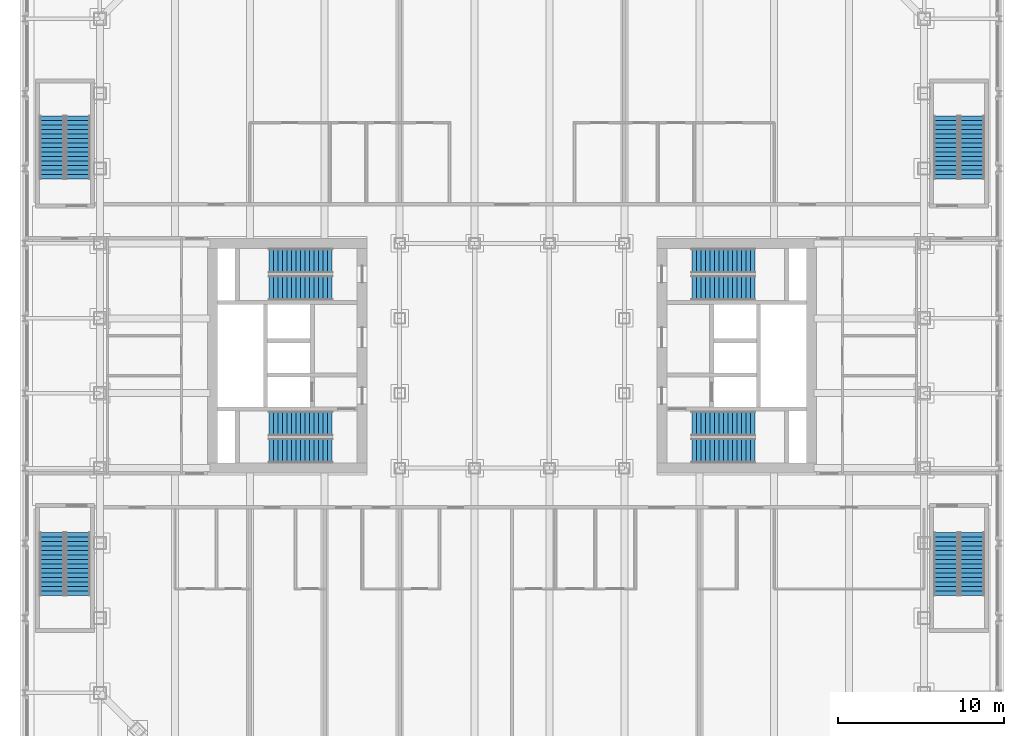
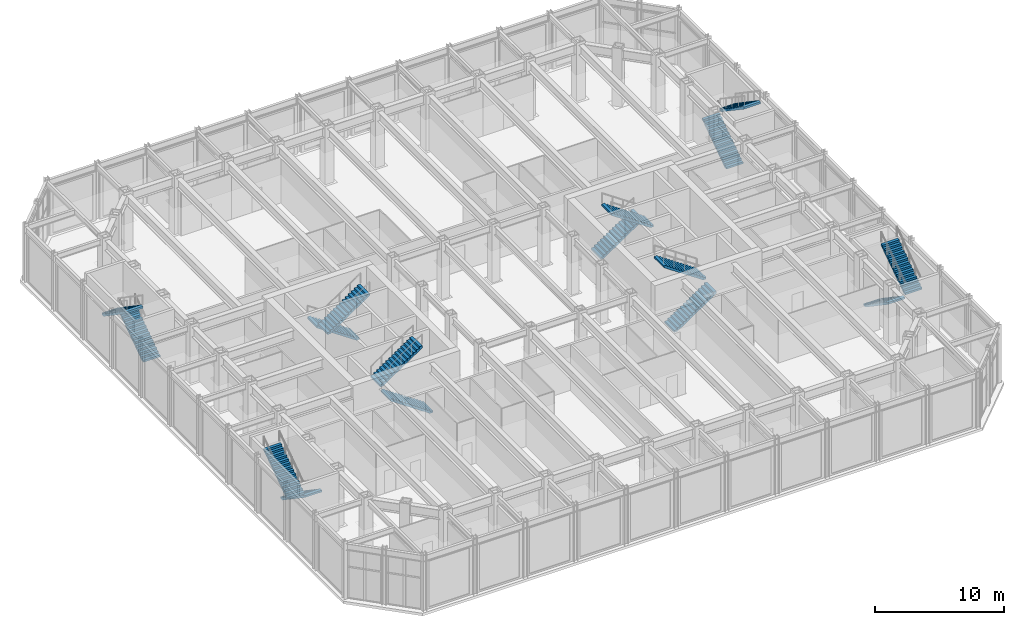
# One storey, part 16 of 19: 16 stair flights, 8 elements without a shape of their own.
"""IFC4 building model written with IfcOpenShell, lengths in metres."""

from ifc_helpers import new_model, si_unit, direction, frame, origin, place, context, subcontext, project, spatial, polyline, outline, extrude, material, type_object, element, aggregate, save


model = new_model("IFC4")

# Units and contexts
model_context = context("Model", 3, precision=1e-05, world=origin(), true_north=direction((0.0, 1.0)))
body_context = subcontext(model_context, "Body", "Model", "MODEL_VIEW")
ifc_project = project(units=[si_unit("LENGTHUNIT", "METRE"), si_unit("AREAUNIT", "SQUARE_METRE"), si_unit("VOLUMEUNIT", "CUBIC_METRE"), si_unit("PLANEANGLEUNIT", "RADIAN"), si_unit("MASSUNIT", "GRAM", prefix="KILO")], contexts=[model_context])

# Site, building, storey
site_placement = place(None, origin())
site = spatial("IfcSite", under=ifc_project, at=site_placement, CompositionType="ELEMENT")
building_placement = place(site_placement, origin())
building = spatial("IfcBuilding", under=site, at=building_placement, Name="Msasa Ring Tower", CompositionType="ELEMENT")
storey_placement = place(building_placement, frame((0.0, 0.0, 16.0)))
storey = spatial("IfcBuildingStorey", under=building, at=storey_placement, Name="L03", CompositionType="ELEMENT", Elevation=16.0)

# Stair, stair flights
ifc_material_1 = material(Name="Concrete C40/50", Category="concrete")
stair_type_1 = type_object("IfcStairType", Name="STC CORE STAIR 30 RISERS 183.3", PredefinedType="HALF_TURN_STAIR", material=ifc_material_1)
stair_1_placement = place(storey_placement, origin())
stair_1 = element("IfcStair", 1, at=stair_1_placement, inside=storey, type_object=stair_type_1, Name="Core stair SEA L03", PredefinedType="HALF_TURN_STAIR")
ifc_material_2 = material(Name="Concrete C40/50", Category="concrete")
stair_flight_type_1 = type_object("IfcStairFlightType", Name="ST16 CORE STAIR FLIGHT 1500 15 RISERS 183.3", PredefinedType="STRAIGHT", material=ifc_material_2)
stair_flight_1_placement = place(storey_placement, frame((10.800048828125, -5.699951171875, 0.0), z_axis=(0.0, 0.0, 1.0), x_axis=(1.0, 0.0, 0.0)))
stair_flight_1 = element("IfcStairFlight", 2, at=stair_flight_1_placement, type_object=stair_flight_type_1, Name="SEA flight 1", NumberOfRisers=15, NumberOfTreads=14, PredefinedType="STRAIGHT", RiserHeight=0.183333333, TreadLength=0.27, context=body_context, shape_type="SweptSolid", body=[
    extrude(outline(polyline([(0.0, 0.0), (0.0, 0.183349609375), (0.27001953125, 0.183349609375), (0.27001953125, 0.36669921875), (0.5400390625, 0.36669921875), (0.5400390625, 0.550048828125), (0.81005859375, 0.550048828125), (0.81005859375, 0.7333984375), (1.080078125, 0.7333984375), (1.080078125, 0.916748046875), (1.35009765625, 0.916748046875), (1.35009765625, 1.10009765625), (1.6201171875, 1.10009765625), (1.6201171875, 1.283447265625), (1.889892578125, 1.283447265625), (1.889892578125, 1.466552734375), (2.159912109375, 1.466552734375), (2.159912109375, 1.64990234375), (2.429931640625, 1.64990234375), (2.429931640625, 1.833251953125), (2.699951171875, 1.833251953125), (2.699951171875, 2.0166015625), (2.969970703125, 2.0166015625), (2.969970703125, 2.199951171875), (3.239990234375, 2.199951171875), (3.239990234375, 2.38330078125), (3.510009765625, 2.38330078125), (3.510009765625, 2.566650390625), (3.780029296875, 2.566650390625), (3.780029296875, 2.75), (3.780029296875, 2.385498046875), (0.266845703125, 0.0), (0.0, 0.0)])), frame((0.0, 0.75, 0.0), z_axis=(0.0, -1.0, 0.0), x_axis=(1.0, 0.0, 0.0)), (0.0, 0.0, 1.0), 1.5),
])
stair_flight_2_placement = place(storey_placement, frame((14.580078125, -4.074951171875, 2.75), z_axis=(0.0, 0.0, 1.0), x_axis=(-1.0, 0.0, 0.0)))
stair_flight_2 = element("IfcStairFlight", 3, at=stair_flight_2_placement, type_object=stair_flight_type_1, Name="SEA flight 2", NumberOfRisers=15, NumberOfTreads=14, PredefinedType="STRAIGHT", RiserHeight=0.183333333, TreadLength=0.27, context=body_context, shape_type="SweptSolid", body=[
    extrude(outline(polyline([(0.0, 0.0), (0.0, 0.183349609375), (0.27001953125, 0.183349609375), (0.27001953125, 0.36669921875), (0.5400390625, 0.36669921875), (0.5400390625, 0.550048828125), (0.81005859375, 0.550048828125), (0.81005859375, 0.7333984375), (1.080078125, 0.7333984375), (1.080078125, 0.916748046875), (1.35009765625, 0.916748046875), (1.35009765625, 1.10009765625), (1.6201171875, 1.10009765625), (1.6201171875, 1.283447265625), (1.889892578125, 1.283447265625), (1.889892578125, 1.466552734375), (2.159912109375, 1.466552734375), (2.159912109375, 1.64990234375), (2.429931640625, 1.64990234375), (2.429931640625, 1.833251953125), (2.699951171875, 1.833251953125), (2.699951171875, 2.0166015625), (2.969970703125, 2.0166015625), (2.969970703125, 2.199951171875), (3.239990234375, 2.199951171875), (3.239990234375, 2.38330078125), (3.510009765625, 2.38330078125), (3.510009765625, 2.566650390625), (3.780029296875, 2.566650390625), (3.780029296875, 2.75), (3.780029296875, 2.385498046875), (0.266845703125, 0.0), (0.0, 0.0)])), frame((0.0, 0.75, 0.0), z_axis=(0.0, -1.0, 0.0), x_axis=(1.0, 0.0, 0.0)), (0.0, 0.0, 1.0), 1.5),
])
aggregate(stair_1, [stair_flight_1, stair_flight_2])

stair_2_placement = place(storey_placement, origin())
stair_2 = element("IfcStair", 4, at=stair_2_placement, inside=storey, type_object=stair_type_1, Name="Core stair SEB L03", PredefinedType="HALF_TURN_STAIR")
stair_flight_3_placement = place(storey_placement, frame((10.800048828125, 5.699951171875, 0.0), z_axis=(0.0, 0.0, 1.0), x_axis=(1.0, 0.0, 0.0)))
stair_flight_3 = element("IfcStairFlight", 5, at=stair_flight_3_placement, type_object=stair_flight_type_1, Name="SEB flight 1", NumberOfRisers=15, NumberOfTreads=14, PredefinedType="STRAIGHT", RiserHeight=0.183333333, TreadLength=0.27, context=body_context, shape_type="SweptSolid", body=[
    extrude(outline(polyline([(0.0, 0.0), (0.0, 0.183349609375), (0.27001953125, 0.183349609375), (0.27001953125, 0.36669921875), (0.5400390625, 0.36669921875), (0.5400390625, 0.550048828125), (0.81005859375, 0.550048828125), (0.81005859375, 0.7333984375), (1.080078125, 0.7333984375), (1.080078125, 0.916748046875), (1.35009765625, 0.916748046875), (1.35009765625, 1.10009765625), (1.6201171875, 1.10009765625), (1.6201171875, 1.283447265625), (1.889892578125, 1.283447265625), (1.889892578125, 1.466552734375), (2.159912109375, 1.466552734375), (2.159912109375, 1.64990234375), (2.429931640625, 1.64990234375), (2.429931640625, 1.833251953125), (2.699951171875, 1.833251953125), (2.699951171875, 2.0166015625), (2.969970703125, 2.0166015625), (2.969970703125, 2.199951171875), (3.239990234375, 2.199951171875), (3.239990234375, 2.38330078125), (3.510009765625, 2.38330078125), (3.510009765625, 2.566650390625), (3.780029296875, 2.566650390625), (3.780029296875, 2.75), (3.780029296875, 2.385498046875), (0.266845703125, 0.0), (0.0, 0.0)])), frame((0.0, 0.75, 0.0), z_axis=(0.0, -1.0, 0.0), x_axis=(1.0, 0.0, 0.0)), (0.0, 0.0, 1.0), 1.5),
])
stair_flight_4_placement = place(storey_placement, frame((14.580078125, 4.074951171875, 2.75), z_axis=(0.0, 0.0, 1.0), x_axis=(-1.0, 0.0, 0.0)))
stair_flight_4 = element("IfcStairFlight", 6, at=stair_flight_4_placement, type_object=stair_flight_type_1, Name="SEB flight 2", NumberOfRisers=15, NumberOfTreads=14, PredefinedType="STRAIGHT", RiserHeight=0.183333333, TreadLength=0.27, context=body_context, shape_type="SweptSolid", body=[
    extrude(outline(polyline([(0.0, 0.0), (0.0, 0.183349609375), (0.27001953125, 0.183349609375), (0.27001953125, 0.36669921875), (0.5400390625, 0.36669921875), (0.5400390625, 0.550048828125), (0.81005859375, 0.550048828125), (0.81005859375, 0.7333984375), (1.080078125, 0.7333984375), (1.080078125, 0.916748046875), (1.35009765625, 0.916748046875), (1.35009765625, 1.10009765625), (1.6201171875, 1.10009765625), (1.6201171875, 1.283447265625), (1.889892578125, 1.283447265625), (1.889892578125, 1.466552734375), (2.159912109375, 1.466552734375), (2.159912109375, 1.64990234375), (2.429931640625, 1.64990234375), (2.429931640625, 1.833251953125), (2.699951171875, 1.833251953125), (2.699951171875, 2.0166015625), (2.969970703125, 2.0166015625), (2.969970703125, 2.199951171875), (3.239990234375, 2.199951171875), (3.239990234375, 2.38330078125), (3.510009765625, 2.38330078125), (3.510009765625, 2.566650390625), (3.780029296875, 2.566650390625), (3.780029296875, 2.75), (3.780029296875, 2.385498046875), (0.266845703125, 0.0), (0.0, 0.0)])), frame((0.0, 0.75, 0.0), z_axis=(0.0, -1.0, 0.0), x_axis=(1.0, 0.0, 0.0)), (0.0, 0.0, 1.0), 1.5),
])
aggregate(stair_2, [stair_flight_3, stair_flight_4])

stair_3_placement = place(storey_placement, origin())
stair_3 = element("IfcStair", 7, at=stair_3_placement, inside=storey, type_object=stair_type_1, Name="Core stair SWA L03", PredefinedType="HALF_TURN_STAIR")
stair_flight_5_placement = place(storey_placement, frame((-10.800048828125, -5.699951171875, 0.0), z_axis=(0.0, 0.0, 1.0), x_axis=(-1.0, 0.0, 0.0)))
stair_flight_5 = element("IfcStairFlight", 8, at=stair_flight_5_placement, type_object=stair_flight_type_1, Name="SWA flight 1", NumberOfRisers=15, NumberOfTreads=14, PredefinedType="STRAIGHT", RiserHeight=0.183333333, TreadLength=0.27, context=body_context, shape_type="SweptSolid", body=[
    extrude(outline(polyline([(0.0, 0.0), (0.0, 0.183349609375), (0.27001953125, 0.183349609375), (0.27001953125, 0.36669921875), (0.5400390625, 0.36669921875), (0.5400390625, 0.550048828125), (0.81005859375, 0.550048828125), (0.81005859375, 0.7333984375), (1.080078125, 0.7333984375), (1.080078125, 0.916748046875), (1.35009765625, 0.916748046875), (1.35009765625, 1.10009765625), (1.6201171875, 1.10009765625), (1.6201171875, 1.283447265625), (1.889892578125, 1.283447265625), (1.889892578125, 1.466552734375), (2.159912109375, 1.466552734375), (2.159912109375, 1.64990234375), (2.429931640625, 1.64990234375), (2.429931640625, 1.833251953125), (2.699951171875, 1.833251953125), (2.699951171875, 2.0166015625), (2.969970703125, 2.0166015625), (2.969970703125, 2.199951171875), (3.239990234375, 2.199951171875), (3.239990234375, 2.38330078125), (3.510009765625, 2.38330078125), (3.510009765625, 2.566650390625), (3.780029296875, 2.566650390625), (3.780029296875, 2.75), (3.780029296875, 2.385498046875), (0.266845703125, 0.0), (0.0, 0.0)])), frame((0.0, 0.75, 0.0), z_axis=(0.0, -1.0, 0.0), x_axis=(1.0, 0.0, 0.0)), (0.0, 0.0, 1.0), 1.5),
])
stair_flight_6_placement = place(storey_placement, frame((-14.580078125, -4.074951171875, 2.75), z_axis=(0.0, 0.0, 1.0), x_axis=(1.0, 0.0, 0.0)))
stair_flight_6 = element("IfcStairFlight", 9, at=stair_flight_6_placement, type_object=stair_flight_type_1, Name="SWA flight 2", NumberOfRisers=15, NumberOfTreads=14, PredefinedType="STRAIGHT", RiserHeight=0.183333333, TreadLength=0.27, context=body_context, shape_type="SweptSolid", body=[
    extrude(outline(polyline([(0.0, 0.0), (0.0, 0.183349609375), (0.27001953125, 0.183349609375), (0.27001953125, 0.36669921875), (0.5400390625, 0.36669921875), (0.5400390625, 0.550048828125), (0.81005859375, 0.550048828125), (0.81005859375, 0.7333984375), (1.080078125, 0.7333984375), (1.080078125, 0.916748046875), (1.35009765625, 0.916748046875), (1.35009765625, 1.10009765625), (1.6201171875, 1.10009765625), (1.6201171875, 1.283447265625), (1.889892578125, 1.283447265625), (1.889892578125, 1.466552734375), (2.159912109375, 1.466552734375), (2.159912109375, 1.64990234375), (2.429931640625, 1.64990234375), (2.429931640625, 1.833251953125), (2.699951171875, 1.833251953125), (2.699951171875, 2.0166015625), (2.969970703125, 2.0166015625), (2.969970703125, 2.199951171875), (3.239990234375, 2.199951171875), (3.239990234375, 2.38330078125), (3.510009765625, 2.38330078125), (3.510009765625, 2.566650390625), (3.780029296875, 2.566650390625), (3.780029296875, 2.75), (3.780029296875, 2.385498046875), (0.266845703125, 0.0), (0.0, 0.0)])), frame((0.0, 0.75, 0.0), z_axis=(0.0, -1.0, 0.0), x_axis=(1.0, 0.0, 0.0)), (0.0, 0.0, 1.0), 1.5),
])
aggregate(stair_3, [stair_flight_5, stair_flight_6])

stair_4_placement = place(storey_placement, origin())
stair_4 = element("IfcStair", 10, at=stair_4_placement, inside=storey, type_object=stair_type_1, Name="Core stair SWB L03", PredefinedType="HALF_TURN_STAIR")
stair_flight_7_placement = place(storey_placement, frame((-10.800048828125, 5.699951171875, 0.0), z_axis=(0.0, 0.0, 1.0), x_axis=(-1.0, 0.0, 0.0)))
stair_flight_7 = element("IfcStairFlight", 11, at=stair_flight_7_placement, type_object=stair_flight_type_1, Name="SWB flight 1", NumberOfRisers=15, NumberOfTreads=14, PredefinedType="STRAIGHT", RiserHeight=0.183333333, TreadLength=0.27, context=body_context, shape_type="SweptSolid", body=[
    extrude(outline(polyline([(0.0, 0.0), (0.0, 0.183349609375), (0.27001953125, 0.183349609375), (0.27001953125, 0.36669921875), (0.5400390625, 0.36669921875), (0.5400390625, 0.550048828125), (0.81005859375, 0.550048828125), (0.81005859375, 0.7333984375), (1.080078125, 0.7333984375), (1.080078125, 0.916748046875), (1.35009765625, 0.916748046875), (1.35009765625, 1.10009765625), (1.6201171875, 1.10009765625), (1.6201171875, 1.283447265625), (1.889892578125, 1.283447265625), (1.889892578125, 1.466552734375), (2.159912109375, 1.466552734375), (2.159912109375, 1.64990234375), (2.429931640625, 1.64990234375), (2.429931640625, 1.833251953125), (2.699951171875, 1.833251953125), (2.699951171875, 2.0166015625), (2.969970703125, 2.0166015625), (2.969970703125, 2.199951171875), (3.239990234375, 2.199951171875), (3.239990234375, 2.38330078125), (3.510009765625, 2.38330078125), (3.510009765625, 2.566650390625), (3.780029296875, 2.566650390625), (3.780029296875, 2.75), (3.780029296875, 2.385498046875), (0.266845703125, 0.0), (0.0, 0.0)])), frame((0.0, 0.75, 0.0), z_axis=(0.0, -1.0, 0.0), x_axis=(1.0, 0.0, 0.0)), (0.0, 0.0, 1.0), 1.5),
])
stair_flight_8_placement = place(storey_placement, frame((-14.580078125, 4.074951171875, 2.75), z_axis=(0.0, 0.0, 1.0), x_axis=(1.0, 0.0, 0.0)))
stair_flight_8 = element("IfcStairFlight", 12, at=stair_flight_8_placement, type_object=stair_flight_type_1, Name="SWB flight 2", NumberOfRisers=15, NumberOfTreads=14, PredefinedType="STRAIGHT", RiserHeight=0.183333333, TreadLength=0.27, context=body_context, shape_type="SweptSolid", body=[
    extrude(outline(polyline([(0.0, 0.0), (0.0, 0.183349609375), (0.27001953125, 0.183349609375), (0.27001953125, 0.36669921875), (0.5400390625, 0.36669921875), (0.5400390625, 0.550048828125), (0.81005859375, 0.550048828125), (0.81005859375, 0.7333984375), (1.080078125, 0.7333984375), (1.080078125, 0.916748046875), (1.35009765625, 0.916748046875), (1.35009765625, 1.10009765625), (1.6201171875, 1.10009765625), (1.6201171875, 1.283447265625), (1.889892578125, 1.283447265625), (1.889892578125, 1.466552734375), (2.159912109375, 1.466552734375), (2.159912109375, 1.64990234375), (2.429931640625, 1.64990234375), (2.429931640625, 1.833251953125), (2.699951171875, 1.833251953125), (2.699951171875, 2.0166015625), (2.969970703125, 2.0166015625), (2.969970703125, 2.199951171875), (3.239990234375, 2.199951171875), (3.239990234375, 2.38330078125), (3.510009765625, 2.38330078125), (3.510009765625, 2.566650390625), (3.780029296875, 2.566650390625), (3.780029296875, 2.75), (3.780029296875, 2.385498046875), (0.266845703125, 0.0), (0.0, 0.0)])), frame((0.0, 0.75, 0.0), z_axis=(0.0, -1.0, 0.0), x_axis=(1.0, 0.0, 0.0)), (0.0, 0.0, 1.0), 1.5),
])
aggregate(stair_4, [stair_flight_7, stair_flight_8])

ifc_material_3 = material(Name="Concrete C40/50", Category="concrete")
stair_type_2 = type_object("IfcStairType", Name="STP PODIUM STAIR 30 RISERS 183.3", PredefinedType="HALF_TURN_STAIR", material=ifc_material_3)
stair_5_placement = place(storey_placement, origin())
stair_5 = element("IfcStair", 13, at=stair_5_placement, inside=storey, type_object=stair_type_2, Name="Podium stair PEN L03", PredefinedType="HALF_TURN_STAIR")
ifc_material_4 = material(Name="Concrete C40/50", Category="concrete")
stair_flight_type_2 = type_object("IfcStairFlightType", Name="ST22 PODIUM STAIR FLIGHT 1500 15 RISERS 183.3", PredefinedType="STRAIGHT", material=ifc_material_4)
stair_flight_9_placement = place(storey_placement, frame((26.074951171875, 10.625, 0.0), z_axis=(0.0, 0.0, 1.0), x_axis=(0.0, 1.0, 0.0)))
stair_flight_9 = element("IfcStairFlight", 14, at=stair_flight_9_placement, type_object=stair_flight_type_2, Name="PEN flight 1", NumberOfRisers=15, NumberOfTreads=14, PredefinedType="STRAIGHT", RiserHeight=0.183333333, TreadLength=0.27, context=body_context, shape_type="SweptSolid", body=[
    extrude(outline(polyline([(0.0, 0.0), (0.0, 0.183349609375), (0.27001953125, 0.183349609375), (0.27001953125, 0.36669921875), (0.5400390625, 0.36669921875), (0.5400390625, 0.550048828125), (0.81005859375, 0.550048828125), (0.81005859375, 0.7333984375), (1.080078125, 0.7333984375), (1.080078125, 0.916748046875), (1.35009765625, 0.916748046875), (1.35009765625, 1.10009765625), (1.6201171875, 1.10009765625), (1.6201171875, 1.283447265625), (1.889892578125, 1.283447265625), (1.889892578125, 1.466552734375), (2.159912109375, 1.466552734375), (2.159912109375, 1.64990234375), (2.429931640625, 1.64990234375), (2.429931640625, 1.833251953125), (2.699951171875, 1.833251953125), (2.699951171875, 2.0166015625), (2.969970703125, 2.0166015625), (2.969970703125, 2.199951171875), (3.239990234375, 2.199951171875), (3.239990234375, 2.38330078125), (3.510009765625, 2.38330078125), (3.510009765625, 2.566650390625), (3.780029296875, 2.566650390625), (3.780029296875, 2.75), (3.780029296875, 2.385498046875), (0.266845703125, 0.0), (0.0, 0.0)])), frame((0.0, 0.75, 0.0), z_axis=(0.0, -1.0, 0.0), x_axis=(1.0, 0.0, 0.0)), (0.0, 0.0, 1.0), 1.5),
])
stair_flight_10_placement = place(storey_placement, frame((27.625, 14.405029296875, 2.75), z_axis=(0.0, 0.0, 1.0), x_axis=(0.0, -1.0, 0.0)))
stair_flight_10 = element("IfcStairFlight", 15, at=stair_flight_10_placement, type_object=stair_flight_type_2, Name="PEN flight 2", NumberOfRisers=15, NumberOfTreads=14, PredefinedType="STRAIGHT", RiserHeight=0.183333333, TreadLength=0.27, context=body_context, shape_type="SweptSolid", body=[
    extrude(outline(polyline([(0.0, 0.0), (0.0, 0.183349609375), (0.27001953125, 0.183349609375), (0.27001953125, 0.36669921875), (0.5400390625, 0.36669921875), (0.5400390625, 0.550048828125), (0.81005859375, 0.550048828125), (0.81005859375, 0.7333984375), (1.080078125, 0.7333984375), (1.080078125, 0.916748046875), (1.35009765625, 0.916748046875), (1.35009765625, 1.10009765625), (1.6201171875, 1.10009765625), (1.6201171875, 1.283447265625), (1.889892578125, 1.283447265625), (1.889892578125, 1.466552734375), (2.159912109375, 1.466552734375), (2.159912109375, 1.64990234375), (2.429931640625, 1.64990234375), (2.429931640625, 1.833251953125), (2.699951171875, 1.833251953125), (2.699951171875, 2.0166015625), (2.969970703125, 2.0166015625), (2.969970703125, 2.199951171875), (3.239990234375, 2.199951171875), (3.239990234375, 2.38330078125), (3.510009765625, 2.38330078125), (3.510009765625, 2.566650390625), (3.780029296875, 2.566650390625), (3.780029296875, 2.75), (3.780029296875, 2.385498046875), (0.266845703125, 0.0), (0.0, 0.0)])), frame((0.0, 0.75, 0.0), z_axis=(0.0, -1.0, 0.0), x_axis=(1.0, 0.0, 0.0)), (0.0, 0.0, 1.0), 1.5),
])
aggregate(stair_5, [stair_flight_9, stair_flight_10])

stair_6_placement = place(storey_placement, origin())
stair_6 = element("IfcStair", 16, at=stair_6_placement, inside=storey, type_object=stair_type_2, Name="Podium stair PES L03", PredefinedType="HALF_TURN_STAIR")
stair_flight_11_placement = place(storey_placement, frame((26.074951171875, -10.625, 0.0), z_axis=(0.0, 0.0, 1.0), x_axis=(0.0, -1.0, 0.0)))
stair_flight_11 = element("IfcStairFlight", 17, at=stair_flight_11_placement, type_object=stair_flight_type_2, Name="PES flight 1", NumberOfRisers=15, NumberOfTreads=14, PredefinedType="STRAIGHT", RiserHeight=0.183333333, TreadLength=0.27, context=body_context, shape_type="SweptSolid", body=[
    extrude(outline(polyline([(0.0, 0.0), (0.0, 0.183349609375), (0.27001953125, 0.183349609375), (0.27001953125, 0.36669921875), (0.5400390625, 0.36669921875), (0.5400390625, 0.550048828125), (0.81005859375, 0.550048828125), (0.81005859375, 0.7333984375), (1.080078125, 0.7333984375), (1.080078125, 0.916748046875), (1.35009765625, 0.916748046875), (1.35009765625, 1.10009765625), (1.6201171875, 1.10009765625), (1.6201171875, 1.283447265625), (1.889892578125, 1.283447265625), (1.889892578125, 1.466552734375), (2.159912109375, 1.466552734375), (2.159912109375, 1.64990234375), (2.429931640625, 1.64990234375), (2.429931640625, 1.833251953125), (2.699951171875, 1.833251953125), (2.699951171875, 2.0166015625), (2.969970703125, 2.0166015625), (2.969970703125, 2.199951171875), (3.239990234375, 2.199951171875), (3.239990234375, 2.38330078125), (3.510009765625, 2.38330078125), (3.510009765625, 2.566650390625), (3.780029296875, 2.566650390625), (3.780029296875, 2.75), (3.780029296875, 2.385498046875), (0.266845703125, 0.0), (0.0, 0.0)])), frame((0.0, 0.75, 0.0), z_axis=(0.0, -1.0, 0.0), x_axis=(1.0, 0.0, 0.0)), (0.0, 0.0, 1.0), 1.5),
])
stair_flight_12_placement = place(storey_placement, frame((27.625, -14.405029296875, 2.75), z_axis=(0.0, 0.0, 1.0), x_axis=(0.0, 1.0, 0.0)))
stair_flight_12 = element("IfcStairFlight", 18, at=stair_flight_12_placement, type_object=stair_flight_type_2, Name="PES flight 2", NumberOfRisers=15, NumberOfTreads=14, PredefinedType="STRAIGHT", RiserHeight=0.183333333, TreadLength=0.27, context=body_context, shape_type="SweptSolid", body=[
    extrude(outline(polyline([(0.0, 0.0), (0.0, 0.183349609375), (0.27001953125, 0.183349609375), (0.27001953125, 0.36669921875), (0.5400390625, 0.36669921875), (0.5400390625, 0.550048828125), (0.81005859375, 0.550048828125), (0.81005859375, 0.7333984375), (1.080078125, 0.7333984375), (1.080078125, 0.916748046875), (1.35009765625, 0.916748046875), (1.35009765625, 1.10009765625), (1.6201171875, 1.10009765625), (1.6201171875, 1.283447265625), (1.889892578125, 1.283447265625), (1.889892578125, 1.466552734375), (2.159912109375, 1.466552734375), (2.159912109375, 1.64990234375), (2.429931640625, 1.64990234375), (2.429931640625, 1.833251953125), (2.699951171875, 1.833251953125), (2.699951171875, 2.0166015625), (2.969970703125, 2.0166015625), (2.969970703125, 2.199951171875), (3.239990234375, 2.199951171875), (3.239990234375, 2.38330078125), (3.510009765625, 2.38330078125), (3.510009765625, 2.566650390625), (3.780029296875, 2.566650390625), (3.780029296875, 2.75), (3.780029296875, 2.385498046875), (0.266845703125, 0.0), (0.0, 0.0)])), frame((0.0, 0.75, 0.0), z_axis=(0.0, -1.0, 0.0), x_axis=(1.0, 0.0, 0.0)), (0.0, 0.0, 1.0), 1.5),
])
aggregate(stair_6, [stair_flight_11, stair_flight_12])

stair_7_placement = place(storey_placement, origin())
stair_7 = element("IfcStair", 19, at=stair_7_placement, inside=storey, type_object=stair_type_2, Name="Podium stair PWN L03", PredefinedType="HALF_TURN_STAIR")
stair_flight_13_placement = place(storey_placement, frame((-26.074951171875, 10.625, 0.0), z_axis=(0.0, 0.0, 1.0), x_axis=(0.0, 1.0, 0.0)))
stair_flight_13 = element("IfcStairFlight", 20, at=stair_flight_13_placement, type_object=stair_flight_type_2, Name="PWN flight 1", NumberOfRisers=15, NumberOfTreads=14, PredefinedType="STRAIGHT", RiserHeight=0.183333333, TreadLength=0.27, context=body_context, shape_type="SweptSolid", body=[
    extrude(outline(polyline([(0.0, 0.0), (0.0, 0.183349609375), (0.27001953125, 0.183349609375), (0.27001953125, 0.36669921875), (0.5400390625, 0.36669921875), (0.5400390625, 0.550048828125), (0.81005859375, 0.550048828125), (0.81005859375, 0.7333984375), (1.080078125, 0.7333984375), (1.080078125, 0.916748046875), (1.35009765625, 0.916748046875), (1.35009765625, 1.10009765625), (1.6201171875, 1.10009765625), (1.6201171875, 1.283447265625), (1.889892578125, 1.283447265625), (1.889892578125, 1.466552734375), (2.159912109375, 1.466552734375), (2.159912109375, 1.64990234375), (2.429931640625, 1.64990234375), (2.429931640625, 1.833251953125), (2.699951171875, 1.833251953125), (2.699951171875, 2.0166015625), (2.969970703125, 2.0166015625), (2.969970703125, 2.199951171875), (3.239990234375, 2.199951171875), (3.239990234375, 2.38330078125), (3.510009765625, 2.38330078125), (3.510009765625, 2.566650390625), (3.780029296875, 2.566650390625), (3.780029296875, 2.75), (3.780029296875, 2.385498046875), (0.266845703125, 0.0), (0.0, 0.0)])), frame((0.0, 0.75, 0.0), z_axis=(0.0, -1.0, 0.0), x_axis=(1.0, 0.0, 0.0)), (0.0, 0.0, 1.0), 1.5),
])
stair_flight_14_placement = place(storey_placement, frame((-27.625, 14.405029296875, 2.75), z_axis=(0.0, 0.0, 1.0), x_axis=(0.0, -1.0, 0.0)))
stair_flight_14 = element("IfcStairFlight", 21, at=stair_flight_14_placement, type_object=stair_flight_type_2, Name="PWN flight 2", NumberOfRisers=15, NumberOfTreads=14, PredefinedType="STRAIGHT", RiserHeight=0.183333333, TreadLength=0.27, context=body_context, shape_type="SweptSolid", body=[
    extrude(outline(polyline([(0.0, 0.0), (0.0, 0.183349609375), (0.27001953125, 0.183349609375), (0.27001953125, 0.36669921875), (0.5400390625, 0.36669921875), (0.5400390625, 0.550048828125), (0.81005859375, 0.550048828125), (0.81005859375, 0.7333984375), (1.080078125, 0.7333984375), (1.080078125, 0.916748046875), (1.35009765625, 0.916748046875), (1.35009765625, 1.10009765625), (1.6201171875, 1.10009765625), (1.6201171875, 1.283447265625), (1.889892578125, 1.283447265625), (1.889892578125, 1.466552734375), (2.159912109375, 1.466552734375), (2.159912109375, 1.64990234375), (2.429931640625, 1.64990234375), (2.429931640625, 1.833251953125), (2.699951171875, 1.833251953125), (2.699951171875, 2.0166015625), (2.969970703125, 2.0166015625), (2.969970703125, 2.199951171875), (3.239990234375, 2.199951171875), (3.239990234375, 2.38330078125), (3.510009765625, 2.38330078125), (3.510009765625, 2.566650390625), (3.780029296875, 2.566650390625), (3.780029296875, 2.75), (3.780029296875, 2.385498046875), (0.266845703125, 0.0), (0.0, 0.0)])), frame((0.0, 0.75, 0.0), z_axis=(0.0, -1.0, 0.0), x_axis=(1.0, 0.0, 0.0)), (0.0, 0.0, 1.0), 1.5),
])
aggregate(stair_7, [stair_flight_13, stair_flight_14])

stair_8_placement = place(storey_placement, origin())
stair_8 = element("IfcStair", 22, at=stair_8_placement, inside=storey, type_object=stair_type_2, Name="Podium stair PWS L03", PredefinedType="HALF_TURN_STAIR")
stair_flight_15_placement = place(storey_placement, frame((-26.074951171875, -10.625, 0.0), z_axis=(0.0, 0.0, 1.0), x_axis=(0.0, -1.0, 0.0)))
stair_flight_15 = element("IfcStairFlight", 23, at=stair_flight_15_placement, type_object=stair_flight_type_2, Name="PWS flight 1", NumberOfRisers=15, NumberOfTreads=14, PredefinedType="STRAIGHT", RiserHeight=0.183333333, TreadLength=0.27, context=body_context, shape_type="SweptSolid", body=[
    extrude(outline(polyline([(0.0, 0.0), (0.0, 0.183349609375), (0.27001953125, 0.183349609375), (0.27001953125, 0.36669921875), (0.5400390625, 0.36669921875), (0.5400390625, 0.550048828125), (0.81005859375, 0.550048828125), (0.81005859375, 0.7333984375), (1.080078125, 0.7333984375), (1.080078125, 0.916748046875), (1.35009765625, 0.916748046875), (1.35009765625, 1.10009765625), (1.6201171875, 1.10009765625), (1.6201171875, 1.283447265625), (1.889892578125, 1.283447265625), (1.889892578125, 1.466552734375), (2.159912109375, 1.466552734375), (2.159912109375, 1.64990234375), (2.429931640625, 1.64990234375), (2.429931640625, 1.833251953125), (2.699951171875, 1.833251953125), (2.699951171875, 2.0166015625), (2.969970703125, 2.0166015625), (2.969970703125, 2.199951171875), (3.239990234375, 2.199951171875), (3.239990234375, 2.38330078125), (3.510009765625, 2.38330078125), (3.510009765625, 2.566650390625), (3.780029296875, 2.566650390625), (3.780029296875, 2.75), (3.780029296875, 2.385498046875), (0.266845703125, 0.0), (0.0, 0.0)])), frame((0.0, 0.75, 0.0), z_axis=(0.0, -1.0, 0.0), x_axis=(1.0, 0.0, 0.0)), (0.0, 0.0, 1.0), 1.5),
])
stair_flight_16_placement = place(storey_placement, frame((-27.625, -14.405029296875, 2.75), z_axis=(0.0, 0.0, 1.0), x_axis=(0.0, 1.0, 0.0)))
stair_flight_16 = element("IfcStairFlight", 24, at=stair_flight_16_placement, type_object=stair_flight_type_2, Name="PWS flight 2", NumberOfRisers=15, NumberOfTreads=14, PredefinedType="STRAIGHT", RiserHeight=0.183333333, TreadLength=0.27, context=body_context, shape_type="SweptSolid", body=[
    extrude(outline(polyline([(0.0, 0.0), (0.0, 0.183349609375), (0.27001953125, 0.183349609375), (0.27001953125, 0.36669921875), (0.5400390625, 0.36669921875), (0.5400390625, 0.550048828125), (0.81005859375, 0.550048828125), (0.81005859375, 0.7333984375), (1.080078125, 0.7333984375), (1.080078125, 0.916748046875), (1.35009765625, 0.916748046875), (1.35009765625, 1.10009765625), (1.6201171875, 1.10009765625), (1.6201171875, 1.283447265625), (1.889892578125, 1.283447265625), (1.889892578125, 1.466552734375), (2.159912109375, 1.466552734375), (2.159912109375, 1.64990234375), (2.429931640625, 1.64990234375), (2.429931640625, 1.833251953125), (2.699951171875, 1.833251953125), (2.699951171875, 2.0166015625), (2.969970703125, 2.0166015625), (2.969970703125, 2.199951171875), (3.239990234375, 2.199951171875), (3.239990234375, 2.38330078125), (3.510009765625, 2.38330078125), (3.510009765625, 2.566650390625), (3.780029296875, 2.566650390625), (3.780029296875, 2.75), (3.780029296875, 2.385498046875), (0.266845703125, 0.0), (0.0, 0.0)])), frame((0.0, 0.75, 0.0), z_axis=(0.0, -1.0, 0.0), x_axis=(1.0, 0.0, 0.0)), (0.0, 0.0, 1.0), 1.5),
])
aggregate(stair_8, [stair_flight_15, stair_flight_16])

save(model, "model.ifc")
